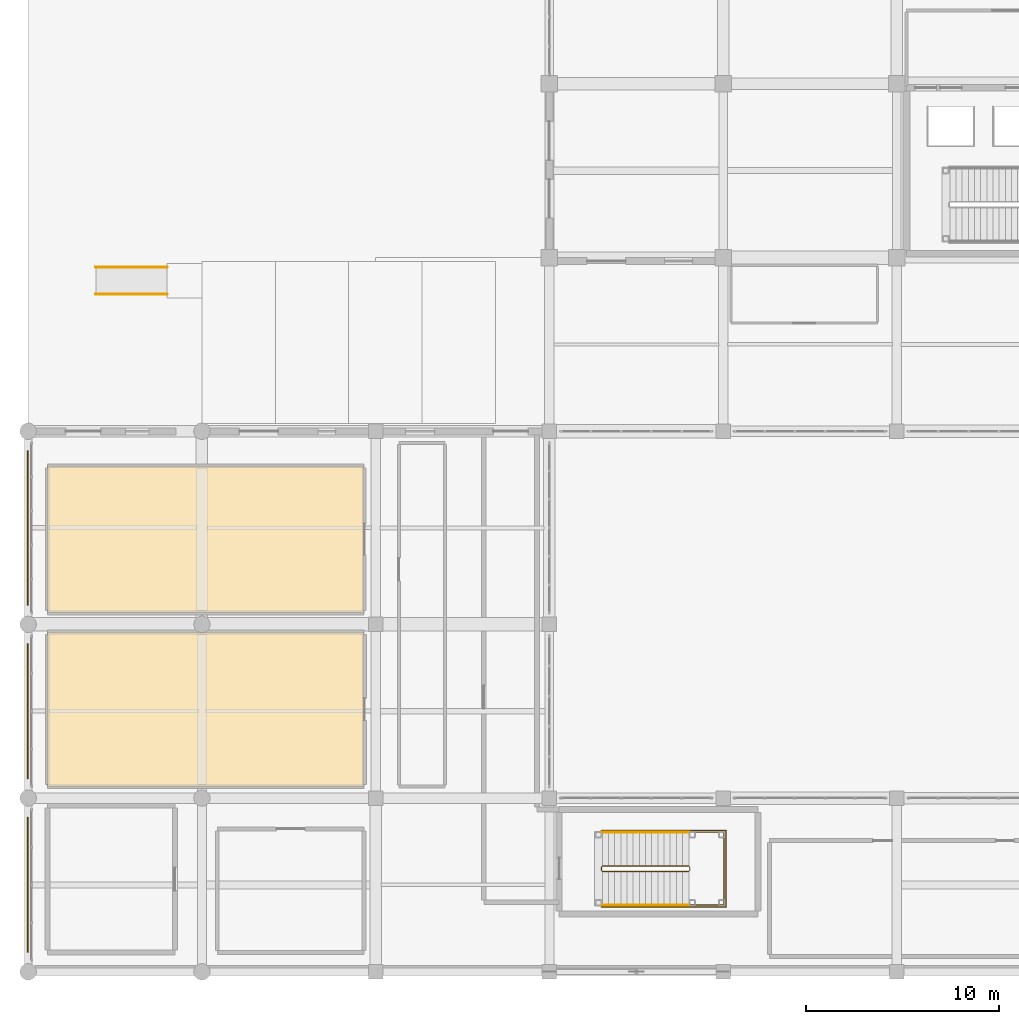
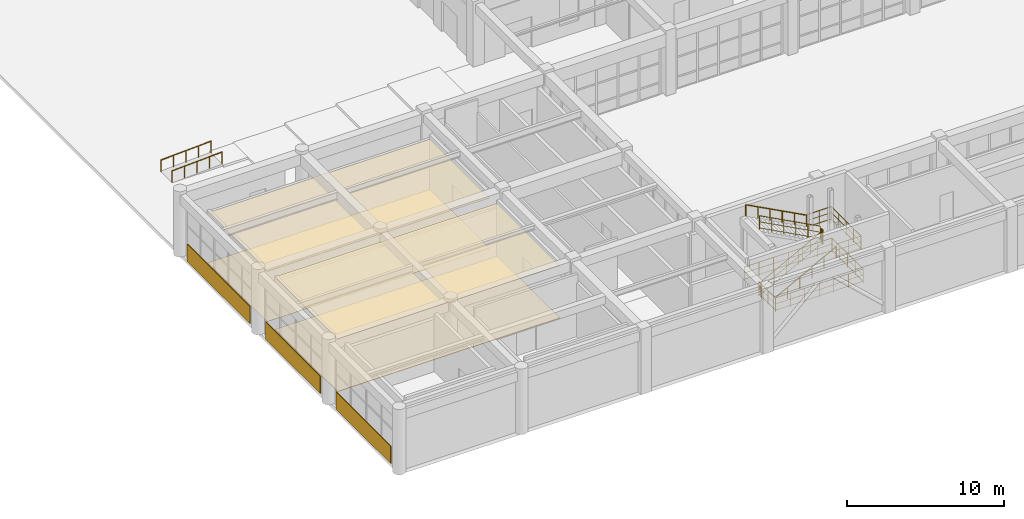
# One storey, part 116 of 128: 10 railings, 7 coverings.
"""IFC4 building model written with IfcOpenShell, lengths in metres."""

import ifcopenshell
import ifcopenshell.guid

model = None  # the IFC model being written
_history = None  # IfcOwnerHistory: only IFC2X3 demands one
_inside = {}  # id of a spatial element -> (the spatial element, [elements in it])
_under = {}  # id of a project, library or spatial element -> (it, [spatial elements below it])
_declared = {}  # id of a project -> (the project, [libraries it declares])
_typed = {}  # id of a type object -> (the type object, [elements of that type])
_made_of = {}  # id of a material, layer set ... -> (it, [elements and type objects made of it])


def new_model(schema):
    """Start an empty IFC model of exactly this schema.

    Asked for "IFC4X3", IfcOpenShell would pick the latest addendum, in which some entities
    have other attributes; the version numbers below select the first issue.
    IFC2X3 requires an IfcOwnerHistory on every rooted entity: one is made here for all.
    """
    global model, _history
    if schema == "IFC4X3":
        model = ifcopenshell.file(schema_version=(4, 3, 0, 0))
    else:
        model = ifcopenshell.file(schema=schema)
    _inside.clear()
    _under.clear()
    _declared.clear()
    _typed.clear()
    _made_of.clear()
    _history = None
    if model.schema == "IFC2X3":
        org = make("IfcOrganization", Name="unknown")
        user = make(
            "IfcPersonAndOrganization",
            ThePerson=make("IfcPerson", FamilyName="unknown"),
            TheOrganization=org,
        )
        app = make(
            "IfcApplication",
            ApplicationDeveloper=org,
            Version="unknown",
            ApplicationFullName="unknown",
            ApplicationIdentifier="unknown",
        )
        _history = make(
            "IfcOwnerHistory",
            OwningUser=user,
            OwningApplication=app,
            ChangeAction="ADDED",
            CreationDate=0,
        )
    return model


def make(cls, **values):
    """One entity of the class cls with the attributes given. An attribute that is None is left unset."""
    return model.create_entity(
        cls, **{name: value for name, value in values.items() if value is not None}
    )


def rooted(cls, **values):
    """An entity with a GlobalId (a new one), such as an element, a storey or a relation."""
    return make(cls, GlobalId=ifcopenshell.guid.new(), OwnerHistory=_history, **values)


def si_unit(unit_type, name, prefix=None):
    """IfcSIUnit, for example si_unit("LENGTHUNIT", "METRE", prefix="MILLI")."""
    return make("IfcSIUnit", UnitType=unit_type, Prefix=prefix, Name=name)


def assignment(units):
    """IfcUnitAssignment: the units of a project."""
    return None if units is None else make("IfcUnitAssignment", Units=units)


def point(xyz):
    """IfcCartesianPoint."""
    return None if xyz is None else make("IfcCartesianPoint", Coordinates=xyz)


def direction(xyz):
    """IfcDirection."""
    return None if xyz is None else make("IfcDirection", DirectionRatios=xyz)


def frame(location, z_axis=None, x_axis=None):
    """IfcAxis2Placement3D, a coordinate frame: its origin and axes. An axis left out is left unset."""
    return make(
        "IfcAxis2Placement3D",
        Location=point(location),
        Axis=direction(z_axis),
        RefDirection=direction(x_axis),
    )


def frame_2d(location, x_axis=None):
    """IfcAxis2Placement2D, a coordinate frame in the plane: its origin and x axis."""
    return make(
        "IfcAxis2Placement2D", Location=point(location), RefDirection=direction(x_axis)
    )


def origin():
    """The frame at (0, 0, 0) with its axes left unset."""
    return frame((0.0, 0.0, 0.0))


def origin_2d():
    """The frame at (0, 0) in the plane with its x axis left unset."""
    return frame_2d((0.0, 0.0))


def place(relative_to, where):
    """IfcLocalPlacement: puts the frame where relative to a parent placement (None: the world)."""
    return make(
        "IfcLocalPlacement", PlacementRelTo=relative_to, RelativePlacement=where
    )


def context(
    kind, dimensions, precision=None, world=None, true_north=None, identifier=None
):
    """IfcGeometricRepresentationContext, for example the 3D "Model" context."""
    return make(
        "IfcGeometricRepresentationContext",
        ContextIdentifier=identifier,
        ContextType=kind,
        CoordinateSpaceDimension=dimensions,
        Precision=precision,
        WorldCoordinateSystem=world,
        TrueNorth=true_north,
    )


def subcontext(parent, identifier, kind, view, scale=None):
    """IfcGeometricRepresentationSubContext, for example "Body" below "Model"."""
    return make(
        "IfcGeometricRepresentationSubContext",
        ContextIdentifier=identifier,
        ContextType=kind,
        ParentContext=parent,
        TargetScale=scale,
        TargetView=view,
    )


def project(units=None, contexts=None):
    """IfcProject with its units and contexts."""
    return rooted(
        "IfcProject",
        Name="project",
        RepresentationContexts=contexts,
        UnitsInContext=assignment(units),
    )


def spatial(cls, under=None, at=None, **own):
    """A site, building, storey or space (cls), placed at a placement, below another one or the project."""
    s = rooted(cls, ObjectPlacement=at, **own)
    if under is not None:
        _under.setdefault(under.id(), (under, []))[1].append(s)
    return s


def polyline(points):
    """IfcPolyline through the points."""
    return make("IfcPolyline", Points=[point(p) for p in points])


def profile(cls, at=None, kind="AREA", **sizes):
    """A parametric profile (cls). Its sizes go by their IFC names, for example OverallWidth=200.0."""
    return make(cls, ProfileType=kind, Position=at, **sizes)


def circle(**sizes):
    """IfcCircleProfileDef."""
    return profile("IfcCircleProfileDef", **sizes)


def outline(outer, holes=None, kind="AREA"):
    """IfcArbitraryClosedProfileDef: a profile drawn as a closed curve; with holes, ...WithVoids."""
    if holes is None:
        return make("IfcArbitraryClosedProfileDef", ProfileType=kind, OuterCurve=outer)
    return make(
        "IfcArbitraryProfileDefWithVoids",
        ProfileType=kind,
        OuterCurve=outer,
        InnerCurves=holes,
    )


def extrude(swept, where, along, depth):
    """IfcExtrudedAreaSolid: the profile swept, set in the frame where, extruded along a direction by depth."""
    return make(
        "IfcExtrudedAreaSolid",
        SweptArea=swept,
        Position=where,
        ExtrudedDirection=direction(along),
        Depth=depth,
    )


def shape(context_of_items, identifier, shape_type, items):
    """IfcShapeRepresentation: the items that make up one representation, for example the "Body"."""
    return make(
        "IfcShapeRepresentation",
        ContextOfItems=context_of_items,
        RepresentationIdentifier=identifier,
        RepresentationType=shape_type,
        Items=items,
    )


def material(Name=None, Category=None):
    """IfcMaterial."""
    return make("IfcMaterial", Name=Name, Category=Category)


def layer(
    of_material, thickness, ventilated=None, Name=None, Category=None, Priority=None
):
    """IfcMaterialLayer: one layer of a wall or slab, of a material (None: an air gap)."""
    return make(
        "IfcMaterialLayer",
        Material=of_material,
        LayerThickness=thickness,
        IsVentilated=ventilated,
        Name=Name,
        Category=Category,
        Priority=Priority,
    )


def layer_set(layers, Name=None):
    """IfcMaterialLayerSet."""
    return make("IfcMaterialLayerSet", MaterialLayers=layers, LayerSetName=Name)


def made_of(thing, what):
    """Note that an element or type object is made of a material, layer set ...; save() writes the relation."""
    if what is not None:
        _made_of.setdefault(what.id(), (what, []))[1].append(thing)
    return thing


def type_object(cls, material=None, **own):
    """A type object (cls), such as IfcWallType, which elements share."""
    return made_of(rooted(cls, **own), material)


def element(
    cls,
    number,
    at=None,
    inside=None,
    cuts=None,
    type_object=None,
    material=None,
    context=None,
    identifier="Body",
    shape_type=None,
    held_by="IfcProductDefinitionShape",
    body=None,
    shapes=None,
    **own,
):
    """One element of the class cls, such as IfcWall. Its Tag is "e" and its number.

    at: its placement. inside: the storey or other place that contains it. cuts: it is an
    opening in that element (IfcRelVoidsElement). A single representation is given by context,
    identifier, shape_type and body (its items); several are given by shapes. held_by: the class
    of the entity that holds the representations. save() writes the other relations.
    """
    e = rooted(cls, Tag="e%d" % number, ObjectPlacement=at, **own)
    if body is not None:
        shapes = [shape(context, identifier, shape_type, body)]
    if shapes is not None:
        e.Representation = make(held_by, Representations=shapes)
    if inside is not None:
        _inside.setdefault(inside.id(), (inside, []))[1].append(e)
    if cuts is not None:
        rooted(
            "IfcRelVoidsElement", RelatingBuildingElement=cuts, RelatedOpeningElement=e
        )
    if type_object is not None:
        _typed.setdefault(type_object.id(), (type_object, []))[1].append(e)
    return made_of(e, material)


def aggregate(whole, parts):
    """IfcRelAggregates: a whole, such as a stair, and the parts it consists of."""
    return rooted("IfcRelAggregates", RelatingObject=whole, RelatedObjects=parts)


def save(model, path):
    """Write the relations noted so far, then the file.

    IfcRelAggregates (storeys below a building ...), IfcRelContainedInSpatialStructure (elements
    in a storey), IfcRelDefinesByType, IfcRelAssociatesMaterial and IfcRelDeclares: one each for
    every whole, place, type object, material and project.
    """
    for whole, parts in _under.values():
        aggregate(whole, parts)
    for where, things in _inside.values():
        rooted(
            "IfcRelContainedInSpatialStructure",
            RelatedElements=things,
            RelatingStructure=where,
        )
    for kind, things in _typed.values():
        rooted("IfcRelDefinesByType", RelatedObjects=things, RelatingType=kind)
    for what, things in _made_of.values():
        rooted("IfcRelAssociatesMaterial", RelatedObjects=things, RelatingMaterial=what)
    for by, libraries in _declared.values():
        rooted("IfcRelDeclares", RelatingContext=by, RelatedDefinitions=libraries)
    model.write(path)


model = new_model("IFC4")

# Units and contexts
model_context = context("Model", 3, precision=1e-05, world=origin(), true_north=direction((0.0, 1.0)))
body_context = subcontext(model_context, "Body", "Model", "MODEL_VIEW")
ifc_project = project(units=[si_unit("LENGTHUNIT", "METRE"), si_unit("AREAUNIT", "SQUARE_METRE"), si_unit("VOLUMEUNIT", "CUBIC_METRE"), si_unit("PLANEANGLEUNIT", "RADIAN"), si_unit("MASSUNIT", "GRAM", prefix="KILO")], contexts=[model_context])

# Site, building, storey
site_placement = place(None, origin())
site = spatial("IfcSite", under=ifc_project, at=site_placement, CompositionType="ELEMENT")
building_placement = place(site_placement, origin())
building = spatial("IfcBuilding", under=site, at=building_placement, Name="Miravela Opera House", CompositionType="ELEMENT")
storey_placement = place(building_placement, origin())
storey = spatial("IfcBuildingStorey", under=building, at=storey_placement, Name="L00", CompositionType="ELEMENT", Elevation=0.0)

# Coverings
ifc_material_1 = material(Name="Perforated hardwood acoustic reflector ceiling", Category="wood")
ifc_layer_1 = layer(ifc_material_1, 0.031982421875)
ifc_layer_set_1 = layer_set([ifc_layer_1])
covering_type_1 = type_object("IfcCoveringType", Name="ARC-CEIL-ACOUSTIC-32", PredefinedType="CEILING", material=ifc_layer_set_1)
covering_1_placement = place(storey_placement, frame((0.0, 0.0, 4.10009765625)))
element("IfcCovering", 1, at=covering_1_placement, inside=storey, type_object=covering_type_1, Name="Miravela Opera Restaurant Dining Hall Acoustic Ceiling", PredefinedType="CEILING", context=body_context, shape_type="SweptSolid", body=[
    extrude(outline(polyline([(1.0, 9.60009765625), (17.39990234375, 9.60009765625), (17.39990234375, 17.60009765625), (1.0, 17.60009765625), (1.0, 9.60009765625)])), origin(), (0.0, 0.0, 1.0), 0.031982421875),
])
ifc_material_2 = material(Name="Mineral-wool studio acoustic ceiling cloud")
ifc_layer_2 = layer(ifc_material_2, 0.050048828125)
ifc_layer_set_2 = layer_set([ifc_layer_2])
covering_type_2 = type_object("IfcCoveringType", Name="ARC-CEIL-BAFFLE-50", PredefinedType="CEILING", material=ifc_layer_set_2)
covering_2_placement = place(storey_placement, frame((0.0, 0.0, 3.89990234375)))
element("IfcCovering", 2, at=covering_2_placement, inside=storey, type_object=covering_type_2, Name="Cultural Opera Shop and Bookshop Acoustic Ceiling", PredefinedType="CEILING", context=body_context, shape_type="SweptSolid", body=[
    extrude(outline(polyline([(1.0, 18.60009765625), (17.39990234375, 18.60009765625), (17.39990234375, 26.199951171875), (1.0, 26.199951171875), (1.0, 18.60009765625)])), origin(), (0.0, 0.0, 1.0), 0.050048828125),
])
ifc_material_3 = material(Name="Carved dark volcanic basalt ashlar cladding", Category="masonry")
ifc_layer_3 = layer(ifc_material_3, 0.054931640625)
ifc_layer_set_3 = layer_set([ifc_layer_3])
covering_type_3 = type_object("IfcCoveringType", Name="ARC-COV-BASALT-CLAD", PredefinedType="CLADDING", material=ifc_layer_set_3)
covering_3_placement = place(storey_placement, origin())
element("IfcCovering", 3, at=covering_3_placement, inside=storey, type_object=covering_type_3, Name="Volcanic Basalt Plinth Rustication Cladding 01", PredefinedType="CLADDING", context=body_context, shape_type="SweptSolid", body=[
    extrude(outline(polyline([(-0.048095703125, 1.0), (0.008056640625, 1.0), (0.008056640625, 8.0), (-0.048095703125, 8.0), (-0.048095703125, 1.0)])), origin(), (0.0, 0.0, 1.0), 1.35009765625),
])
covering_4_placement = place(storey_placement, origin())
element("IfcCovering", 4, at=covering_4_placement, inside=storey, type_object=covering_type_3, Name="Volcanic Basalt Plinth Rustication Cladding 02", PredefinedType="CLADDING", context=body_context, shape_type="SweptSolid", body=[
    extrude(outline(polyline([(-0.048095703125, 10.0), (0.008056640625, 10.0), (0.008056640625, 17.0), (-0.048095703125, 17.0), (-0.048095703125, 10.0)])), origin(), (0.0, 0.0, 1.0), 1.35009765625),
])
covering_5_placement = place(storey_placement, origin())
element("IfcCovering", 5, at=covering_5_placement, inside=storey, type_object=covering_type_3, Name="Volcanic Basalt Plinth Rustication Cladding 03", PredefinedType="CLADDING", context=body_context, shape_type="SweptSolid", body=[
    extrude(outline(polyline([(-0.048095703125, 19.0), (0.008056640625, 19.0), (0.008056640625, 27.0), (-0.048095703125, 27.0), (-0.048095703125, 19.0)])), origin(), (0.0, 0.0, 1.0), 1.35009765625),
])
ifc_material_4 = material(Name="Acoustic oiled mahogany auditorium flooring")
ifc_layer_4 = layer(ifc_material_4, 0.01904296875)
ifc_layer_set_4 = layer_set([ifc_layer_4])
covering_type_4 = type_object("IfcCoveringType", Name="ARC-FLR-HARDWOOD-19", PredefinedType="FLOORING", material=ifc_layer_set_4)
covering_6_placement = place(storey_placement, origin())
element("IfcCovering", 6, at=covering_6_placement, inside=storey, type_object=covering_type_4, Name="Cultural Opera Shop and Bookshop Finish Flooring", PredefinedType="FLOORING", context=body_context, shape_type="SweptSolid", body=[
    extrude(outline(polyline([(1.0, 18.60009765625), (17.39990234375, 18.60009765625), (17.39990234375, 26.199951171875), (1.0, 26.199951171875), (1.0, 18.60009765625)])), origin(), (0.0, 0.0, 1.0), 0.01904296875),
])
ifc_material_5 = material(Name="Sprung resilient oak stage and ballet flooring")
ifc_layer_5 = layer(ifc_material_5, 0.0380859375)
ifc_layer_set_5 = layer_set([ifc_layer_5])
covering_type_5 = type_object("IfcCoveringType", Name="ARC-FLR-SPRUNG-38", PredefinedType="FLOORING", material=ifc_layer_set_5)
covering_7_placement = place(storey_placement, origin())
element("IfcCovering", 7, at=covering_7_placement, inside=storey, type_object=covering_type_5, Name="Miravela Opera Restaurant Dining Hall Finish Flooring", PredefinedType="FLOORING", context=body_context, shape_type="SweptSolid", body=[
    extrude(outline(polyline([(1.0, 9.60009765625), (17.39990234375, 9.60009765625), (17.39990234375, 17.60009765625), (1.0, 17.60009765625), (1.0, 9.60009765625)])), origin(), (0.0, 0.0, 1.0), 0.0380859375),
])

# Railings
ifc_material_6 = material(Name="Brushed bronze continuous stair handrail")
railing_type_1 = type_object("IfcRailingType", Name="ARC-RAIL-HAND-900", PredefinedType="HANDRAIL", material=ifc_material_6)
railing_1_placement = place(storey_placement, frame((29.739990234375, 3.449951171875, 0.169921875)))
element("IfcRailing", 8, at=railing_1_placement, inside=storey, type_object=railing_type_1, Name="L00 ST-08 stair handrail 1", PredefinedType="HANDRAIL", context=body_context, shape_type="SweptSolid", body=[
    extrude(circle(Radius=0.02392578125, at=origin_2d()), frame((0.0, 0.0, 0.8759765625), z_axis=(0.883104503341, 0.0, 0.469176338042), x_axis=(0.0, 1.0, 0.0)), (0.0, 0.0, 1.0), 5.072998046875),
    extrude(circle(Radius=0.02099609375, at=origin_2d()), origin(), (0.0, 0.0, 1.0), 0.851806640625),
    extrude(circle(Radius=0.02099609375, at=origin_2d()), frame((0.89599609375, 0.0, 0.47607421875)), (0.0, 0.0, 1.0), 0.851806640625),
    extrude(circle(Radius=0.02099609375, at=origin_2d()), frame((1.7919921875, 0.0, 0.9521484375)), (0.0, 0.0, 1.0), 0.851806640625),
    extrude(circle(Radius=0.02099609375, at=origin_2d()), frame((2.68798828125, 0.0, 1.427978515625)), (0.0, 0.0, 1.0), 0.851806640625),
    extrude(circle(Radius=0.02099609375, at=origin_2d()), frame((3.583984375, 0.0, 1.904052734375)), (0.0, 0.0, 1.0), 0.851806640625),
    extrude(circle(Radius=0.02099609375, at=origin_2d()), frame((4.47998046875, 0.0, 2.380126953125)), (0.0, 0.0, 1.0), 0.851806640625),
])
railing_2_placement = place(storey_placement, frame((34.219970703125, 7.22998046875, 2.719970703125)))
element("IfcRailing", 9, at=railing_2_placement, inside=storey, type_object=railing_type_1, Name="L00 ST-08 stair handrail 2", PredefinedType="HANDRAIL", context=body_context, shape_type="SweptSolid", body=[
    extrude(circle(Radius=0.02392578125, at=origin_2d()), frame((0.0, 0.0, 0.8759765625), z_axis=(-0.883104503341, 0.0, 0.469176338042), x_axis=(0.0, -1.0, 0.0)), (0.0, 0.0, 1.0), 5.072998046875),
    extrude(circle(Radius=0.02099609375, at=origin_2d()), origin(), (0.0, 0.0, 1.0), 0.851806640625),
    extrude(circle(Radius=0.02099609375, at=origin_2d()), frame((-0.89599609375, 0.0, 0.47607421875)), (0.0, 0.0, 1.0), 0.851806640625),
    extrude(circle(Radius=0.02099609375, at=origin_2d()), frame((-1.7919921875, 0.0, 0.9521484375)), (0.0, 0.0, 1.0), 0.851806640625),
    extrude(circle(Radius=0.02099609375, at=origin_2d()), frame((-2.68798828125, 0.0, 1.427978515625)), (0.0, 0.0, 1.0), 0.851806640625),
    extrude(circle(Radius=0.02099609375, at=origin_2d()), frame((-3.583984375, 0.0, 1.904052734375)), (0.0, 0.0, 1.0), 0.851806640625),
    extrude(circle(Radius=0.02099609375, at=origin_2d()), frame((-4.47998046875, 0.0, 2.380126953125)), (0.0, 0.0, 1.0), 0.851806640625),
])
ifc_material_7 = material(Name="Brushed stainless accessible ramp handrail")
railing_type_2 = type_object("IfcRailingType", Name="ARC-RAIL-HAND-920", PredefinedType="HANDRAIL", material=ifc_material_7)
for number, where, name in (
    (10, (3.5, 36.5, 0.0), "Forecourt South Amphitheatre Accessible Ramp Left Handrail 0143"),
    (11, (3.5, 35.10009765625, 0.0), "Forecourt South Amphitheatre Accessible Ramp Right Handrail 0144"),
):
    element("IfcRailing", number, at=place(storey_placement, frame(where)), inside=storey, type_object=railing_type_2, Name=name, PredefinedType="HANDRAIL", context=body_context, shape_type="SweptSolid", body=[
        extrude(circle(Radius=0.02197265625, at=origin_2d()), frame((0.0, 0.0, 0.89794921875), z_axis=(0.998819615177, 0.0, 0.048573411837), x_axis=(0.0, 1.0, 0.0)), (0.0, 0.0, 1.0), 3.704345703125),
        extrude(circle(Radius=0.02099609375, at=origin_2d()), origin(), (0.0, 0.0, 1.0), 0.8759765625),
        extrude(circle(Radius=0.02099609375, at=origin_2d()), frame((0.925048828125, 0.0, 0.044921875)), (0.0, 0.0, 1.0), 0.8759765625),
        extrude(circle(Radius=0.02099609375, at=origin_2d()), frame((1.85009765625, 0.0, 0.08984375)), (0.0, 0.0, 1.0), 0.8759765625),
        extrude(circle(Radius=0.02099609375, at=origin_2d()), frame((2.77490234375, 0.0, 0.135009765625)), (0.0, 0.0, 1.0), 0.8759765625),
        extrude(circle(Radius=0.02099609375, at=origin_2d()), frame((3.699951171875, 0.0, 0.179931640625)), (0.0, 0.0, 1.0), 0.8759765625),
    ])
ifc_material_8 = material(Name="Painted wrought-iron stair guardrail")
railing_type_3 = type_object("IfcRailingType", Name="ARC-RAIL-STAIR-GUARD", PredefinedType="GUARDRAIL", material=ifc_material_8)
railing_3_placement = place(storey_placement, frame((29.739990234375, 5.18994140625, 0.169921875)))
element("IfcRailing", 12, at=railing_3_placement, inside=storey, type_object=railing_type_3, Name="L00 ST-08 stair guard 1", PredefinedType="GUARDRAIL", context=body_context, shape_type="SweptSolid", body=[
    extrude(circle(Radius=0.02392578125, at=origin_2d()), frame((0.0, 0.0, 1.076171875), z_axis=(0.883104503341, 0.0, 0.469176338042), x_axis=(0.0, 1.0, 0.0)), (0.0, 0.0, 1.0), 5.072998046875),
    extrude(circle(Radius=0.01611328125, at=origin_2d()), frame((0.0, 0.0, 0.60498046875), z_axis=(0.883104503341, 0.0, 0.469176338042), x_axis=(0.0, 1.0, 0.0)), (0.0, 0.0, 1.0), 5.072998046875),
    extrude(circle(Radius=0.01611328125, at=origin_2d()), frame((0.0, 0.0, 0.1201171875), z_axis=(0.883104503341, 0.0, 0.469176338042), x_axis=(0.0, 1.0, 0.0)), (0.0, 0.0, 1.0), 5.072998046875),
    extrude(circle(Radius=0.02099609375, at=origin_2d()), origin(), (0.0, 0.0, 1.0), 1.052001953125),
    extrude(circle(Radius=0.02099609375, at=origin_2d()), frame((0.89599609375, 0.0, 0.47607421875)), (0.0, 0.0, 1.0), 1.052001953125),
    extrude(circle(Radius=0.02099609375, at=origin_2d()), frame((1.7919921875, 0.0, 0.9521484375)), (0.0, 0.0, 1.0), 1.052001953125),
    extrude(circle(Radius=0.02099609375, at=origin_2d()), frame((2.68798828125, 0.0, 1.427978515625)), (0.0, 0.0, 1.0), 1.052001953125),
    extrude(circle(Radius=0.02099609375, at=origin_2d()), frame((3.583984375, 0.0, 1.904052734375)), (0.0, 0.0, 1.0), 1.052001953125),
    extrude(circle(Radius=0.02099609375, at=origin_2d()), frame((4.47998046875, 0.0, 2.380126953125)), (0.0, 0.0, 1.0), 1.052001953125),
])
railing_4_placement = place(storey_placement, frame((34.27001953125, 5.239990234375, 2.550048828125)))
element("IfcRailing", 13, at=railing_4_placement, inside=storey, type_object=railing_type_3, Name="L00 ST-08 stair guard 2", PredefinedType="GUARDRAIL", context=body_context, shape_type="SweptSolid", body=[
    extrude(circle(Radius=0.02392578125, at=origin_2d()), frame((0.0, 0.0, 1.076171875), z_axis=(0.0, 1.0, 0.0), x_axis=(-1.0, 0.0, 0.0)), (0.0, 0.0, 1.0), 0.199951171875),
    extrude(circle(Radius=0.01611328125, at=origin_2d()), frame((0.0, 0.0, 0.60498046875), z_axis=(0.0, 1.0, 0.0), x_axis=(-1.0, 0.0, 0.0)), (0.0, 0.0, 1.0), 0.199951171875),
    extrude(circle(Radius=0.01611328125, at=origin_2d()), frame((0.0, 0.0, 0.1201171875), z_axis=(0.0, 1.0, 0.0), x_axis=(-1.0, 0.0, 0.0)), (0.0, 0.0, 1.0), 0.199951171875),
    extrude(circle(Radius=0.02099609375, at=origin_2d()), origin(), (0.0, 0.0, 1.0), 1.052001953125),
    extrude(circle(Radius=0.02099609375, at=origin_2d()), frame((0.0, 0.199951171875, 0.0)), (0.0, 0.0, 1.0), 1.052001953125),
])
railing_5_placement = place(storey_placement, frame((34.219970703125, 5.489990234375, 2.719970703125)))
element("IfcRailing", 14, at=railing_5_placement, inside=storey, type_object=railing_type_3, Name="L00 ST-08 stair guard 3", PredefinedType="GUARDRAIL", context=body_context, shape_type="SweptSolid", body=[
    extrude(circle(Radius=0.02392578125, at=origin_2d()), frame((0.0, 0.0, 1.076171875), z_axis=(-0.883104503341, 0.0, 0.469176338042), x_axis=(0.0, -1.0, 0.0)), (0.0, 0.0, 1.0), 5.072998046875),
    extrude(circle(Radius=0.01611328125, at=origin_2d()), frame((0.0, 0.0, 0.60498046875), z_axis=(-0.883104503341, 0.0, 0.469176338042), x_axis=(0.0, -1.0, 0.0)), (0.0, 0.0, 1.0), 5.072998046875),
    extrude(circle(Radius=0.01611328125, at=origin_2d()), frame((0.0, 0.0, 0.1201171875), z_axis=(-0.883104503341, 0.0, 0.469176338042), x_axis=(0.0, -1.0, 0.0)), (0.0, 0.0, 1.0), 5.072998046875),
    extrude(circle(Radius=0.02099609375, at=origin_2d()), origin(), (0.0, 0.0, 1.0), 1.052001953125),
    extrude(circle(Radius=0.02099609375, at=origin_2d()), frame((-0.89599609375, 0.0, 0.47607421875)), (0.0, 0.0, 1.0), 1.052001953125),
    extrude(circle(Radius=0.02099609375, at=origin_2d()), frame((-1.7919921875, 0.0, 0.9521484375)), (0.0, 0.0, 1.0), 1.052001953125),
    extrude(circle(Radius=0.02099609375, at=origin_2d()), frame((-2.68798828125, 0.0, 1.427978515625)), (0.0, 0.0, 1.0), 1.052001953125),
    extrude(circle(Radius=0.02099609375, at=origin_2d()), frame((-3.583984375, 0.0, 1.904052734375)), (0.0, 0.0, 1.0), 1.052001953125),
    extrude(circle(Radius=0.02099609375, at=origin_2d()), frame((-4.47998046875, 0.0, 2.380126953125)), (0.0, 0.0, 1.0), 1.052001953125),
])
railing_6_placement = place(storey_placement, frame((29.68994140625, 5.239990234375, 0.0)))
element("IfcRailing", 15, at=railing_6_placement, inside=storey, type_object=railing_type_3, Name="L00 ST-08 stair guard 4", PredefinedType="GUARDRAIL", context=body_context, shape_type="SweptSolid", body=[
    extrude(circle(Radius=0.02392578125, at=origin_2d()), frame((0.0, 0.0, 1.076171875), z_axis=(0.0, 1.0, 0.0), x_axis=(-1.0, 0.0, 0.0)), (0.0, 0.0, 1.0), 0.199951171875),
    extrude(circle(Radius=0.01611328125, at=origin_2d()), frame((0.0, 0.0, 0.60498046875), z_axis=(0.0, 1.0, 0.0), x_axis=(-1.0, 0.0, 0.0)), (0.0, 0.0, 1.0), 0.199951171875),
    extrude(circle(Radius=0.01611328125, at=origin_2d()), frame((0.0, 0.0, 0.1201171875), z_axis=(0.0, 1.0, 0.0), x_axis=(-1.0, 0.0, 0.0)), (0.0, 0.0, 1.0), 0.199951171875),
    extrude(circle(Radius=0.02099609375, at=origin_2d()), origin(), (0.0, 0.0, 1.0), 1.052001953125),
    extrude(circle(Radius=0.02099609375, at=origin_2d()), frame((0.0, 0.199951171875, 0.0)), (0.0, 0.0, 1.0), 1.052001953125),
])
railing_7_placement = place(storey_placement, frame((34.27001953125, 3.449951171875, 2.550048828125)))
element("IfcRailing", 16, at=railing_7_placement, inside=storey, type_object=railing_type_3, Name="Stair ST-08 Half-Landing Perimeter Guard (L00) 0076", PredefinedType="GUARDRAIL", context=body_context, shape_type="SweptSolid", body=[
    extrude(circle(Radius=0.02392578125, at=origin_2d()), frame((0.0, 0.0, 1.076171875), z_axis=(1.0, 0.0, 0.0), x_axis=(0.0, 1.0, 0.0)), (0.0, 0.0, 1.0), 1.780029296875),
    extrude(circle(Radius=0.01611328125, at=origin_2d()), frame((0.0, 0.0, 0.60498046875), z_axis=(1.0, 0.0, 0.0), x_axis=(0.0, 1.0, 0.0)), (0.0, 0.0, 1.0), 1.780029296875),
    extrude(circle(Radius=0.01611328125, at=origin_2d()), frame((0.0, 0.0, 0.1201171875), z_axis=(1.0, 0.0, 0.0), x_axis=(0.0, 1.0, 0.0)), (0.0, 0.0, 1.0), 1.780029296875),
    extrude(circle(Radius=0.02392578125, at=origin_2d()), frame((1.780029296875, 0.0, 1.076171875), z_axis=(0.0, 1.0, 0.0), x_axis=(-1.0, 0.0, 0.0)), (0.0, 0.0, 1.0), 3.780029296875),
    extrude(circle(Radius=0.01611328125, at=origin_2d()), frame((1.780029296875, 0.0, 0.60498046875), z_axis=(0.0, 1.0, 0.0), x_axis=(-1.0, 0.0, 0.0)), (0.0, 0.0, 1.0), 3.780029296875),
    extrude(circle(Radius=0.01611328125, at=origin_2d()), frame((1.780029296875, 0.0, 0.1201171875), z_axis=(0.0, 1.0, 0.0), x_axis=(-1.0, 0.0, 0.0)), (0.0, 0.0, 1.0), 3.780029296875),
    extrude(circle(Radius=0.02392578125, at=origin_2d()), frame((1.780029296875, 3.780029296875, 1.076171875), z_axis=(-1.0, 0.0, 0.0), x_axis=(0.0, -1.0, 0.0)), (0.0, 0.0, 1.0), 1.780029296875),
    extrude(circle(Radius=0.01611328125, at=origin_2d()), frame((1.780029296875, 3.780029296875, 0.60498046875), z_axis=(-1.0, 0.0, 0.0), x_axis=(0.0, -1.0, 0.0)), (0.0, 0.0, 1.0), 1.780029296875),
    extrude(circle(Radius=0.01611328125, at=origin_2d()), frame((1.780029296875, 3.780029296875, 0.1201171875), z_axis=(-1.0, 0.0, 0.0), x_axis=(0.0, -1.0, 0.0)), (0.0, 0.0, 1.0), 1.780029296875),
    extrude(circle(Radius=0.02099609375, at=origin_2d()), origin(), (0.0, 0.0, 1.0), 1.052001953125),
    extrude(circle(Radius=0.02099609375, at=origin_2d()), frame((0.89013671875, 0.0, 0.0)), (0.0, 0.0, 1.0), 1.052001953125),
    extrude(circle(Radius=0.02099609375, at=origin_2d()), frame((1.780029296875, 0.0, 0.0)), (0.0, 0.0, 1.0), 1.052001953125),
    extrude(circle(Radius=0.02099609375, at=origin_2d()), frame((1.780029296875, 0.945068359375, 0.0)), (0.0, 0.0, 1.0), 1.052001953125),
    extrude(circle(Radius=0.02099609375, at=origin_2d()), frame((1.780029296875, 1.89013671875, 0.0)), (0.0, 0.0, 1.0), 1.052001953125),
    extrude(circle(Radius=0.02099609375, at=origin_2d()), frame((1.780029296875, 2.8349609375, 0.0)), (0.0, 0.0, 1.0), 1.052001953125),
    extrude(circle(Radius=0.02099609375, at=origin_2d()), frame((1.780029296875, 3.780029296875, 0.0)), (0.0, 0.0, 1.0), 1.052001953125),
    extrude(circle(Radius=0.02099609375, at=origin_2d()), frame((0.89013671875, 3.780029296875, 0.0)), (0.0, 0.0, 1.0), 1.052001953125),
    extrude(circle(Radius=0.02099609375, at=origin_2d()), frame((0.0, 3.780029296875, 0.0)), (0.0, 0.0, 1.0), 1.052001953125),
])
railing_8_placement = place(storey_placement, frame((29.68994140625, 5.27001953125, 0.0)))
element("IfcRailing", 17, at=railing_8_placement, inside=storey, type_object=railing_type_3, Name="Stair ST-08 Well Slab Opening Guard (L00) 0078", PredefinedType="GUARDRAIL", context=body_context, shape_type="SweptSolid", body=[
    extrude(circle(Radius=0.02392578125, at=origin_2d()), frame((0.0, 0.0, 1.076171875), z_axis=(0.0, -1.0, 0.0), x_axis=(1.0, 0.0, 0.0)), (0.0, 0.0, 1.0), 1.919921875),
    extrude(circle(Radius=0.01611328125, at=origin_2d()), frame((0.0, 0.0, 0.60498046875), z_axis=(0.0, -1.0, 0.0), x_axis=(1.0, 0.0, 0.0)), (0.0, 0.0, 1.0), 1.919921875),
    extrude(circle(Radius=0.01611328125, at=origin_2d()), frame((0.0, 0.0, 0.1201171875), z_axis=(0.0, -1.0, 0.0), x_axis=(1.0, 0.0, 0.0)), (0.0, 0.0, 1.0), 1.919921875),
    extrude(circle(Radius=0.02392578125, at=origin_2d()), frame((0.0, -1.919921875, 1.076171875), z_axis=(1.0, 0.0, 0.0), x_axis=(0.0, 1.0, 0.0)), (0.0, 0.0, 1.0), 6.4599609375),
    extrude(circle(Radius=0.01611328125, at=origin_2d()), frame((0.0, -1.919921875, 0.60498046875), z_axis=(1.0, 0.0, 0.0), x_axis=(0.0, 1.0, 0.0)), (0.0, 0.0, 1.0), 6.4599609375),
    extrude(circle(Radius=0.01611328125, at=origin_2d()), frame((0.0, -1.919921875, 0.1201171875), z_axis=(1.0, 0.0, 0.0), x_axis=(0.0, 1.0, 0.0)), (0.0, 0.0, 1.0), 6.4599609375),
    extrude(circle(Radius=0.02392578125, at=origin_2d()), frame((6.4599609375, -1.919921875, 1.076171875), z_axis=(0.0, 1.0, 0.0), x_axis=(-1.0, 0.0, 0.0)), (0.0, 0.0, 1.0), 3.97998046875),
    extrude(circle(Radius=0.01611328125, at=origin_2d()), frame((6.4599609375, -1.919921875, 0.60498046875), z_axis=(0.0, 1.0, 0.0), x_axis=(-1.0, 0.0, 0.0)), (0.0, 0.0, 1.0), 3.97998046875),
    extrude(circle(Radius=0.01611328125, at=origin_2d()), frame((6.4599609375, -1.919921875, 0.1201171875), z_axis=(0.0, 1.0, 0.0), x_axis=(-1.0, 0.0, 0.0)), (0.0, 0.0, 1.0), 3.97998046875),
    extrude(circle(Radius=0.02392578125, at=origin_2d()), frame((6.4599609375, 2.06005859375, 1.076171875), z_axis=(-1.0, 0.0, 0.0), x_axis=(0.0, -1.0, 0.0)), (0.0, 0.0, 1.0), 6.4599609375),
    extrude(circle(Radius=0.01611328125, at=origin_2d()), frame((6.4599609375, 2.06005859375, 0.60498046875), z_axis=(-1.0, 0.0, 0.0), x_axis=(0.0, -1.0, 0.0)), (0.0, 0.0, 1.0), 6.4599609375),
    extrude(circle(Radius=0.01611328125, at=origin_2d()), frame((6.4599609375, 2.06005859375, 0.1201171875), z_axis=(-1.0, 0.0, 0.0), x_axis=(0.0, -1.0, 0.0)), (0.0, 0.0, 1.0), 6.4599609375),
    extrude(circle(Radius=0.02099609375, at=origin_2d()), origin(), (0.0, 0.0, 1.0), 1.052001953125),
    extrude(circle(Radius=0.02099609375, at=origin_2d()), frame((0.0, -0.9599609375, 0.0)), (0.0, 0.0, 1.0), 1.052001953125),
    extrude(circle(Radius=0.02099609375, at=origin_2d()), frame((0.0, -1.919921875, 0.0)), (0.0, 0.0, 1.0), 1.052001953125),
    extrude(circle(Radius=0.02099609375, at=origin_2d()), frame((1.07666015625, -1.919921875, 0.0)), (0.0, 0.0, 1.0), 1.052001953125),
    extrude(circle(Radius=0.02099609375, at=origin_2d()), frame((2.1533203125, -1.919921875, 0.0)), (0.0, 0.0, 1.0), 1.052001953125),
    extrude(circle(Radius=0.02099609375, at=origin_2d()), frame((3.22998046875, -1.919921875, 0.0)), (0.0, 0.0, 1.0), 1.052001953125),
    extrude(circle(Radius=0.02099609375, at=origin_2d()), frame((4.306640625, -1.919921875, 0.0)), (0.0, 0.0, 1.0), 1.052001953125),
    extrude(circle(Radius=0.02099609375, at=origin_2d()), frame((5.38330078125, -1.919921875, 0.0)), (0.0, 0.0, 1.0), 1.052001953125),
    extrude(circle(Radius=0.02099609375, at=origin_2d()), frame((6.4599609375, -1.919921875, 0.0)), (0.0, 0.0, 1.0), 1.052001953125),
    extrude(circle(Radius=0.02099609375, at=origin_2d()), frame((6.4599609375, -0.9248046875, 0.0)), (0.0, 0.0, 1.0), 1.052001953125),
    extrude(circle(Radius=0.02099609375, at=origin_2d()), frame((6.4599609375, 0.070068359375, 0.0)), (0.0, 0.0, 1.0), 1.052001953125),
    extrude(circle(Radius=0.02099609375, at=origin_2d()), frame((6.4599609375, 1.06494140625, 0.0)), (0.0, 0.0, 1.0), 1.052001953125),
    extrude(circle(Radius=0.02099609375, at=origin_2d()), frame((6.4599609375, 2.06005859375, 0.0)), (0.0, 0.0, 1.0), 1.052001953125),
    extrude(circle(Radius=0.02099609375, at=origin_2d()), frame((5.38330078125, 2.06005859375, 0.0)), (0.0, 0.0, 1.0), 1.052001953125),
    extrude(circle(Radius=0.02099609375, at=origin_2d()), frame((4.306640625, 2.06005859375, 0.0)), (0.0, 0.0, 1.0), 1.052001953125),
    extrude(circle(Radius=0.02099609375, at=origin_2d()), frame((3.22998046875, 2.06005859375, 0.0)), (0.0, 0.0, 1.0), 1.052001953125),
    extrude(circle(Radius=0.02099609375, at=origin_2d()), frame((2.1533203125, 2.06005859375, 0.0)), (0.0, 0.0, 1.0), 1.052001953125),
    extrude(circle(Radius=0.02099609375, at=origin_2d()), frame((1.07666015625, 2.06005859375, 0.0)), (0.0, 0.0, 1.0), 1.052001953125),
    extrude(circle(Radius=0.02099609375, at=origin_2d()), frame((0.0, 2.06005859375, 0.0)), (0.0, 0.0, 1.0), 1.052001953125),
])

save(model, "model.ifc")
